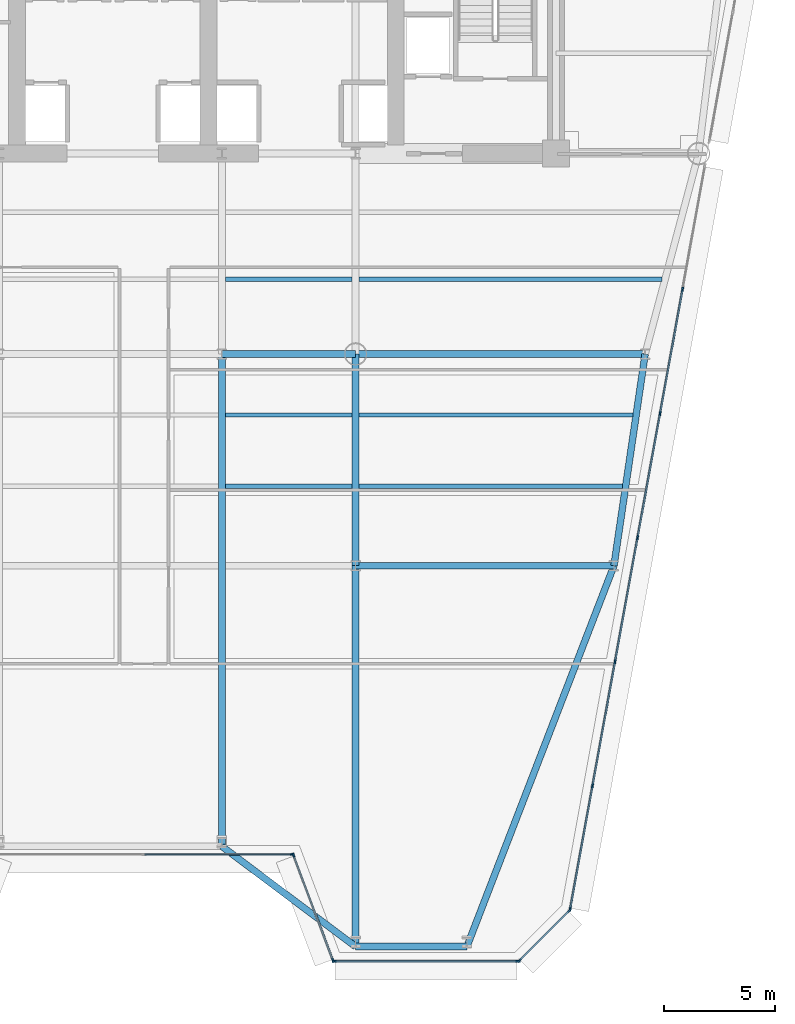
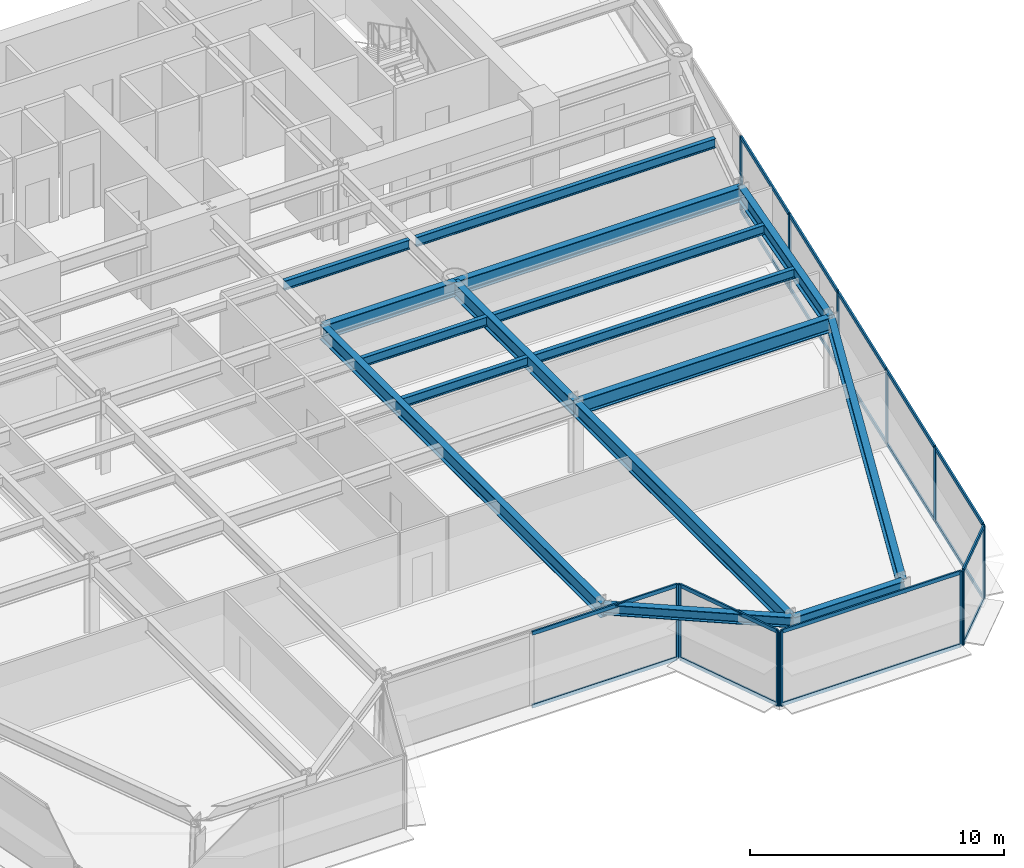
# One storey, part 4 of 14: 31 members, 16 beams, 5 elements without a shape of their own.
"""IFC4 building model written with IfcOpenShell, lengths in metres."""

from ifc_helpers import new_model, si_unit, direction, frame, origin, origin_2d, place, context, subcontext, project, spatial, rectangle, i_section, extrude, source, transform, mapped, material, layer, layer_set, material_profile, profile_set, type_object, element, aggregate, save


model = new_model("IFC4")

# Units and contexts
model_context = context("Model", 3, precision=1e-05, world=origin(), true_north=direction((0.0, 1.0)))
body_context = subcontext(model_context, "Body", "Model", "MODEL_VIEW")
ifc_project = project(units=[si_unit("LENGTHUNIT", "METRE"), si_unit("AREAUNIT", "SQUARE_METRE"), si_unit("VOLUMEUNIT", "CUBIC_METRE"), si_unit("PLANEANGLEUNIT", "RADIAN"), si_unit("MASSUNIT", "GRAM", prefix="KILO")], contexts=[model_context])

# Site, building, storey
site_placement = place(None, origin())
site = spatial("IfcSite", under=ifc_project, at=site_placement, CompositionType="ELEMENT")
building_placement = place(site_placement, origin())
building = spatial("IfcBuilding", under=site, at=building_placement, Name="Vaeldorn Concourse Tower", CompositionType="ELEMENT")
storey_placement = place(building_placement, frame((0.0, 0.0, 141.39990234375)))
storey = spatial("IfcBuildingStorey", under=building, at=storey_placement, Name="L36", CompositionType="ELEMENT", Elevation=141.39990234375)

# Beams
ifc_material_1 = material(Name="Steel S355", Category="steel")
ifc_material_profile_1 = material_profile(ifc_material_1, i_section(OverallWidth=0.300048828125, OverallDepth=0.699951171875, WebThickness=0.01708984375, FlangeThickness=0.031982421875, FilletRadius=0.027099609375, at=origin_2d()), Name="HEB 700")
ifc_profile_set_1 = profile_set([ifc_material_profile_1], Name="Steel S355")
beam_type_1 = type_object("IfcBeamType", Name="BM-PG-HEB700", PredefinedType="BEAM", material=ifc_profile_set_1)
shared_shape_1 = source(origin(), body_context, "Body", "SweptSolid", [
    extrude(i_section(OverallWidth=0.300048828125, OverallDepth=0.699951171875, WebThickness=0.01708984375, FlangeThickness=0.031982421875, FilletRadius=0.027099609375, at=origin_2d()), origin(), (0.0, 0.0, 1.0), 6.0),
])
beam_1_placement = place(storey_placement, frame((39.0, 27.5, 3.22998046875), z_axis=(1.0, 0.0, 0.0), x_axis=(0.0, 1.0, 0.0)))
element("IfcBeam", 1, at=beam_1_placement, inside=storey, type_object=beam_type_1, Name="Beam BM-L36-C-TW3-C-TW4", PredefinedType="BEAM", context=body_context, shape_type="MappedRepresentation", body=[
    mapped(shared_shape_1, transform((0.0, 0.0, 0.0), scale=1.0)),
])
shared_shape_2 = source(origin(), body_context, "Body", "SweptSolid", [
    extrude(i_section(OverallWidth=0.300048828125, OverallDepth=0.699951171875, WebThickness=0.01708984375, FlangeThickness=0.031982421875, FilletRadius=0.027099609375, at=origin_2d()), origin(), (0.0, 0.0, 1.0), 13.0),
])
beam_2_placement = place(storey_placement, frame((45.0, 27.5, 3.22998046875), z_axis=(1.0, 0.0, 0.0), x_axis=(0.0, 1.0, 0.0)))
element("IfcBeam", 2, at=beam_2_placement, inside=storey, type_object=beam_type_1, Name="Beam BM-L36-C-TW4-C-FLE1", PredefinedType="BEAM", context=body_context, shape_type="MappedRepresentation", body=[
    mapped(shared_shape_2, transform((0.0, 0.0, 0.0), scale=1.0)),
])
ifc_material_profile_2 = material_profile(ifc_material_1, i_section(OverallWidth=0.300048828125, OverallDepth=0.5, WebThickness=0.014404296875, FlangeThickness=0.028076171875, FilletRadius=0.027099609375, at=origin_2d()), Name="HEB 500")
ifc_profile_set_2 = profile_set([ifc_material_profile_2], Name="Steel S355")
beam_type_2 = type_object("IfcBeamType", Name="BM-SP-HEB500", PredefinedType="SPANDREL", material=ifc_profile_set_2)
shared_shape_3 = source(origin(), body_context, "Body", "SweptSolid", [
    extrude(i_section(OverallWidth=0.300048828125, OverallDepth=0.5, WebThickness=0.014404296875, FlangeThickness=0.028076171875, FilletRadius=0.027099609375, at=origin_2d()), origin(), (0.0, 0.0, 1.0), 5.0),
])
beam_3_placement = place(storey_placement, frame((45.0, 0.89990234375, 3.330078125), z_axis=(1.0, 0.0, 0.0), x_axis=(0.0, 1.0, 0.0)))
element("IfcBeam", 3, at=beam_3_placement, inside=storey, type_object=beam_type_2, Name="Beam BM-L36-C-SF5-C-SF6", PredefinedType="SPANDREL", context=body_context, shape_type="MappedRepresentation", body=[
    mapped(shared_shape_3, transform((0.0, 0.0, 0.0), scale=1.0)),
])
shared_shape_4 = source(origin(), body_context, "Body", "SweptSolid", [
    extrude(i_section(OverallWidth=0.300048828125, OverallDepth=0.5, WebThickness=0.014404296875, FlangeThickness=0.028076171875, FilletRadius=0.027099609375, at=origin_2d()), origin(), (0.0, 0.0, 1.0), 7.5),
])
beam_4_placement = place(storey_placement, frame((39.0, 5.39990234375, 3.330078125), z_axis=(0.8, -0.6, 0.0), x_axis=(0.6, 0.8, 0.0)))
element("IfcBeam", 4, at=beam_4_placement, inside=storey, type_object=beam_type_2, Name="Beam BM-L36-C-SF4-C-SF5", PredefinedType="SPANDREL", context=body_context, shape_type="MappedRepresentation", body=[
    mapped(shared_shape_4, transform((0.0, 0.0, 0.0), scale=1.0)),
])
shared_shape_5 = source(origin(), body_context, "Body", "SweptSolid", [
    extrude(i_section(OverallWidth=0.300048828125, OverallDepth=0.699951171875, WebThickness=0.01708984375, FlangeThickness=0.031982421875, FilletRadius=0.027099609375, at=origin_2d()), origin(), (0.0, 0.0, 1.0), 9.6025390625),
])
beam_5_placement = place(storey_placement, frame((58.0, 27.5, 3.22998046875), z_axis=(-0.145783835977, -0.989316467652, 0.0), x_axis=(0.989316467652, -0.145783835977, 0.0)))
element("IfcBeam", 5, at=beam_5_placement, inside=storey, type_object=beam_type_1, Name="Beam BM-L36-C-FLE1-C-FLE2", PredefinedType="BEAM", context=body_context, shape_type="MappedRepresentation", body=[
    mapped(shared_shape_5, transform((0.0, 0.0, 0.0), scale=1.0)),
])
shared_shape_6 = source(origin(), body_context, "Body", "SweptSolid", [
    extrude(i_section(OverallWidth=0.300048828125, OverallDepth=0.699951171875, WebThickness=0.01708984375, FlangeThickness=0.031982421875, FilletRadius=0.027099609375, at=origin_2d()), origin(), (0.0, 0.0, 1.0), 11.60009765625),
])
beam_6_placement = place(storey_placement, frame((45.0, 18.0, 3.22998046875), z_axis=(1.0, 0.0, 0.0), x_axis=(0.0, 1.0, 0.0)))
element("IfcBeam", 6, at=beam_6_placement, inside=storey, type_object=beam_type_1, Name="Beam BM-L36-C-TW6-C-FLE2", PredefinedType="BEAM", context=body_context, shape_type="MappedRepresentation", body=[
    mapped(shared_shape_6, transform((0.0, 0.0, 0.0), scale=1.0)),
])
shared_shape_7 = source(origin(), body_context, "Body", "SweptSolid", [
    extrude(i_section(OverallWidth=0.300048828125, OverallDepth=0.699951171875, WebThickness=0.01708984375, FlangeThickness=0.031982421875, FilletRadius=0.027099609375, at=origin_2d()), origin(), (0.0, 0.0, 1.0), 9.5),
])
beam_7_placement = place(storey_placement, frame((45.0, 18.0, 3.22998046875), z_axis=(0.0, 1.0, 0.0), x_axis=(-1.0, 0.0, 0.0)))
element("IfcBeam", 7, at=beam_7_placement, inside=storey, type_object=beam_type_1, Name="Beam BM-L36-C-TW6-C-TW4", PredefinedType="BEAM", context=body_context, shape_type="MappedRepresentation", body=[
    mapped(shared_shape_7, transform((0.0, 0.0, 0.0), scale=1.0)),
])
ifc_material_profile_3 = material_profile(ifc_material_1, i_section(OverallWidth=0.18994140625, OverallDepth=0.449951171875, WebThickness=0.009521484375, FlangeThickness=0.0146484375, FilletRadius=0.02099609375, at=origin_2d()), Name="IPE 450")
ifc_profile_set_3 = profile_set([ifc_material_profile_3], Name="Steel S355")
beam_type_3 = type_object("IfcBeamType", Name="BM-JS-IPE450", PredefinedType="JOIST", material=ifc_profile_set_3)
shared_shape_8 = source(origin(), body_context, "Body", "SweptSolid", [
    extrude(i_section(OverallWidth=0.18994140625, OverallDepth=0.449951171875, WebThickness=0.009521484375, FlangeThickness=0.0146484375, FilletRadius=0.02099609375, at=origin_2d()), origin(), (0.0, 0.0, 1.0), 5.7001953125),
])
for number, where, z_axis, x_axis, name in (
    (8, (39.14990234375, 21.56005859375, 3.35498046875), (1.0, 0.0, 0.0), (0.0, 1.0, 0.0), "Beam JS-L36-E2-215"),
    (9, (39.14990234375, 24.760009765625, 3.35498046875), (1.0, 0.0, 0.0), (0.0, 1.0, 0.0), "Beam JS-L36-E2-247"),
    (10, (39.14990234375, 30.860107421875, 3.35498046875), (1.0, 0.0, 0.0), (0.0, 1.0, 0.0), "Beam JS-L36-E2-308"),
):
    element("IfcBeam", number, at=place(storey_placement, frame(where, z_axis=z_axis, x_axis=x_axis)), inside=storey, type_object=beam_type_3, Name=name, PredefinedType="JOIST", context=body_context, shape_type="MappedRepresentation", body=[
        mapped(shared_shape_8, transform((0.0, 0.0, 0.0), scale=1.0)),
    ])
shared_shape_9 = source(origin(), body_context, "Body", "SweptSolid", [
    extrude(i_section(OverallWidth=0.300048828125, OverallDepth=0.699951171875, WebThickness=0.01708984375, FlangeThickness=0.031982421875, FilletRadius=0.027099609375, at=origin_2d()), origin(), (0.0, 0.0, 1.0), 18.32958984375),
])
beam_8_placement = place(storey_placement, frame((50.0, 0.89990234375, 3.22998046875), z_axis=(0.36007844134, 0.932922031084, 0.0), x_axis=(-0.932922031084, 0.36007844134, 0.0)))
element("IfcBeam", 11, at=beam_8_placement, inside=storey, type_object=beam_type_1, Name="Beam BM-L36-C-SF6-C-FLE2", PredefinedType="BEAM", context=body_context, shape_type="MappedRepresentation", body=[
    mapped(shared_shape_9, transform((0.0, 0.0, 0.0), scale=1.0)),
])
shared_shape_10 = source(origin(), body_context, "Body", "SweptSolid", [
    extrude(i_section(OverallWidth=0.300048828125, OverallDepth=0.699951171875, WebThickness=0.01708984375, FlangeThickness=0.031982421875, FilletRadius=0.027099609375, at=origin_2d()), origin(), (0.0, 0.0, 1.0), 17.10009765625),
])
beam_9_placement = place(storey_placement, frame((45.0, 0.89990234375, 3.22998046875), z_axis=(0.0, 1.0, 0.0), x_axis=(-1.0, 0.0, 0.0)))
element("IfcBeam", 12, at=beam_9_placement, inside=storey, type_object=beam_type_1, Name="Beam BM-L36-C-SF5-C-TW6", PredefinedType="BEAM", context=body_context, shape_type="MappedRepresentation", body=[
    mapped(shared_shape_10, transform((0.0, 0.0, 0.0), scale=1.0)),
])
shared_shape_11 = source(origin(), body_context, "Body", "SweptSolid", [
    extrude(i_section(OverallWidth=0.300048828125, OverallDepth=0.699951171875, WebThickness=0.01708984375, FlangeThickness=0.031982421875, FilletRadius=0.027099609375, at=origin_2d()), origin(), (0.0, 0.0, 1.0), 22.10009765625),
])
beam_10_placement = place(storey_placement, frame((39.0, 5.39990234375, 3.22998046875), z_axis=(0.0, 1.0, 0.0), x_axis=(-1.0, 0.0, 0.0)))
element("IfcBeam", 13, at=beam_10_placement, inside=storey, type_object=beam_type_1, Name="Beam BM-L36-C-SF4-C-TW3", PredefinedType="BEAM", context=body_context, shape_type="MappedRepresentation", body=[
    mapped(shared_shape_11, transform((0.0, 0.0, 0.0), scale=1.0)),
])
shared_shape_12 = source(origin(), body_context, "Body", "SweptSolid", [
    extrude(i_section(OverallWidth=0.18994140625, OverallDepth=0.449951171875, WebThickness=0.009521484375, FlangeThickness=0.0146484375, FilletRadius=0.02099609375, at=origin_2d()), origin(), (0.0, 0.0, 1.0), 11.82470703125),
])
beam_11_placement = place(storey_placement, frame((45.14990234375, 21.56005859375, 3.35498046875), z_axis=(1.0, 0.0, 0.0), x_axis=(0.0, 1.0, 0.0)))
element("IfcBeam", 14, at=beam_11_placement, inside=storey, type_object=beam_type_3, Name="Beam JS-L36-E1-215", PredefinedType="JOIST", context=body_context, shape_type="MappedRepresentation", body=[
    mapped(shared_shape_12, transform((0.0, 0.0, 0.0), scale=1.0)),
])
shared_shape_13 = source(origin(), body_context, "Body", "SweptSolid", [
    extrude(i_section(OverallWidth=0.18994140625, OverallDepth=0.449951171875, WebThickness=0.009521484375, FlangeThickness=0.0146484375, FilletRadius=0.02099609375, at=origin_2d()), origin(), (0.0, 0.0, 1.0), 12.29638671875),
])
beam_12_placement = place(storey_placement, frame((45.14990234375, 24.760009765625, 3.35498046875), z_axis=(1.0, 0.0, 0.0), x_axis=(0.0, 1.0, 0.0)))
element("IfcBeam", 15, at=beam_12_placement, inside=storey, type_object=beam_type_3, Name="Beam JS-L36-E1-247", PredefinedType="JOIST", context=body_context, shape_type="MappedRepresentation", body=[
    mapped(shared_shape_13, transform((0.0, 0.0, 0.0), scale=1.0)),
])
shared_shape_14 = source(origin(), body_context, "Body", "SweptSolid", [
    extrude(i_section(OverallWidth=0.18994140625, OverallDepth=0.449951171875, WebThickness=0.009521484375, FlangeThickness=0.0146484375, FilletRadius=0.02099609375, at=origin_2d()), origin(), (0.0, 0.0, 1.0), 13.59619140625),
])
beam_13_placement = place(storey_placement, frame((45.14990234375, 30.860107421875, 3.35498046875), z_axis=(1.0, 0.0, 0.0), x_axis=(0.0, 1.0, 0.0)))
element("IfcBeam", 16, at=beam_13_placement, inside=storey, type_object=beam_type_3, Name="Beam JS-L36-E1-308", PredefinedType="JOIST", context=body_context, shape_type="MappedRepresentation", body=[
    mapped(shared_shape_14, transform((0.0, 0.0, 0.0), scale=1.0)),
])

# Curtain wall, members
ifc_material_2 = material(Name="Anodised Bronze Aluminium", Category="aluminium")
ifc_layer = layer(ifc_material_2, 0.199951171875)
ifc_layer_set = layer_set([ifc_layer], Name="Anodised Bronze Aluminium")
curtain_wall_type = type_object("IfcCurtainWallType", Name="CW-SYS-02", PredefinedType="NOTDEFINED", material=ifc_layer_set)
curtain_wall_1_placement = place(storey_placement, origin())
curtain_wall_1 = element("IfcCurtainWall", 17, at=curtain_wall_1_placement, inside=storey, type_object=curtain_wall_type, Name="Unitised Curtain Wall CW-L36-E03-1", PredefinedType="NOTDEFINED")
ifc_material_profile_4 = material_profile(ifc_material_2, rectangle(XDim=0.074951171875, YDim=0.179931640625, at=origin_2d()), Name="CWT 75x180")
ifc_profile_set_4 = profile_set([ifc_material_profile_4], Name="Anodised Bronze Aluminium")
member_type_1 = type_object("IfcMemberType", Name="CWT-BRONZE-180", PredefinedType="USERDEFINED", material=ifc_profile_set_4)
shared_shape_15 = source(origin(), body_context, "Body", "SweptSolid", [
    extrude(rectangle(XDim=0.074951171875, YDim=0.179931640625, at=origin_2d()), origin(), (0.0, 0.0, 1.0), 6.58740234375),
])
member_1_placement = place(storey_placement, frame((35.53759765625, 5.0390625, 0.03759765625), z_axis=(1.0, 0.0, 0.0), x_axis=(0.0, 1.0, 0.0)))
member_1 = element("IfcMember", 18, at=member_1_placement, type_object=member_type_1, Name="CW-02 transom 2.1", ObjectType="TRANSOM", PredefinedType="USERDEFINED", context=body_context, shape_type="MappedRepresentation", body=[
    mapped(shared_shape_15, transform((0.0, 0.0, 0.0), scale=1.0)),
])
member_2_placement = place(storey_placement, frame((35.53759765625, 5.0390625, 3.54248046875), z_axis=(1.0, 0.0, 0.0), x_axis=(0.0, 1.0, 0.0)))
member_2 = element("IfcMember", 19, at=member_2_placement, type_object=member_type_1, Name="CW-02 transom 2.2", ObjectType="TRANSOM", PredefinedType="USERDEFINED", context=body_context, shape_type="MappedRepresentation", body=[
    mapped(shared_shape_15, transform((0.0, 0.0, 0.0), scale=1.0)),
])

curtain_wall_2_placement = place(storey_placement, origin())
curtain_wall_2 = element("IfcCurtainWall", 20, at=curtain_wall_2_placement, inside=storey, type_object=curtain_wall_type, Name="Unitised Curtain Wall CW-L36-E06-1", PredefinedType="NOTDEFINED")
shared_shape_16 = source(origin(), body_context, "Body", "SweptSolid", [
    extrude(rectangle(XDim=0.074951171875, YDim=0.179931640625, at=origin_2d()), origin(), (0.0, 0.0, 1.0), 3.102783203125),
])
member_3_placement = place(storey_placement, frame((52.37744140625, 0.292236328125, 0.03759765625), z_axis=(0.707146122816, 0.707067437368, 0.0), x_axis=(-0.707067437368, 0.707146122816, 0.0)))
member_3 = element("IfcMember", 21, at=member_3_placement, type_object=member_type_1, Name="CW-02 transom 1.1", ObjectType="TRANSOM", PredefinedType="USERDEFINED", context=body_context, shape_type="MappedRepresentation", body=[
    mapped(shared_shape_16, transform((0.0, 0.0, 0.0), scale=1.0)),
])
member_4_placement = place(storey_placement, frame((52.37744140625, 0.292236328125, 3.54248046875), z_axis=(0.707146122816, 0.707067437368, 0.0), x_axis=(-0.707067437368, 0.707146122816, 0.0)))
member_4 = element("IfcMember", 22, at=member_4_placement, type_object=member_type_1, Name="CW-02 transom 1.2", ObjectType="TRANSOM", PredefinedType="USERDEFINED", context=body_context, shape_type="MappedRepresentation", body=[
    mapped(shared_shape_16, transform((0.0, 0.0, 0.0), scale=1.0)),
])

curtain_wall_3_placement = place(storey_placement, origin())
curtain_wall_3 = element("IfcCurtainWall", 23, at=curtain_wall_3_placement, inside=storey, type_object=curtain_wall_type, Name="Unitised Curtain Wall CW-L36-E04-1", PredefinedType="NOTDEFINED")
shared_shape_17 = source(origin(), body_context, "Body", "SweptSolid", [
    extrude(rectangle(XDim=0.074951171875, YDim=0.179931640625, at=origin_2d()), origin(), (0.0, 0.0, 1.0), 4.9765625),
])
member_5_placement = place(storey_placement, frame((42.226318359375, 4.968994140625, 0.03759765625), z_axis=(0.351112688987, -0.936333209724, 0.0), x_axis=(0.936333209724, 0.351112688987, 0.0)))
member_5 = element("IfcMember", 24, at=member_5_placement, type_object=member_type_1, Name="CW-02 transom 1.1", ObjectType="TRANSOM", PredefinedType="USERDEFINED", context=body_context, shape_type="MappedRepresentation", body=[
    mapped(shared_shape_17, transform((0.0, 0.0, 0.0), scale=1.0)),
])
member_6_placement = place(storey_placement, frame((42.226318359375, 4.968994140625, 3.54248046875), z_axis=(0.351112688987, -0.936333209724, 0.0), x_axis=(0.936333209724, 0.351112688987, 0.0)))
member_6 = element("IfcMember", 25, at=member_6_placement, type_object=member_type_1, Name="CW-02 transom 1.2", ObjectType="TRANSOM", PredefinedType="USERDEFINED", context=body_context, shape_type="MappedRepresentation", body=[
    mapped(shared_shape_17, transform((0.0, 0.0, 0.0), scale=1.0)),
])

curtain_wall_4_placement = place(storey_placement, origin())
curtain_wall_4 = element("IfcCurtainWall", 26, at=curtain_wall_4_placement, inside=storey, type_object=curtain_wall_type, Name="Unitised Curtain Wall CW-L36-E05-1", PredefinedType="NOTDEFINED")
shared_shape_18 = source(origin(), body_context, "Body", "SweptSolid", [
    extrude(rectangle(XDim=0.074951171875, YDim=0.179931640625, at=origin_2d()), origin(), (0.0, 0.0, 1.0), 8.174560546875),
])
member_7_placement = place(storey_placement, frame((44.074951171875, 0.239013671875, 0.03759765625), z_axis=(1.0, 0.0, 0.0), x_axis=(0.0, 1.0, 0.0)))
member_7 = element("IfcMember", 27, at=member_7_placement, type_object=member_type_1, Name="CW-02 transom 1.1", ObjectType="TRANSOM", PredefinedType="USERDEFINED", context=body_context, shape_type="MappedRepresentation", body=[
    mapped(shared_shape_18, transform((0.0, 0.0, 0.0), scale=1.0)),
])
member_8_placement = place(storey_placement, frame((44.074951171875, 0.239013671875, 3.54248046875), z_axis=(1.0, 0.0, 0.0), x_axis=(0.0, 1.0, 0.0)))
member_8 = element("IfcMember", 28, at=member_8_placement, type_object=member_type_1, Name="CW-02 transom 1.2", ObjectType="TRANSOM", PredefinedType="USERDEFINED", context=body_context, shape_type="MappedRepresentation", body=[
    mapped(shared_shape_18, transform((0.0, 0.0, 0.0), scale=1.0)),
])

# Member
ifc_material_profile_5 = material_profile(ifc_material_2, rectangle(XDim=0.074951171875, YDim=0.18994140625, at=origin_2d()), Name="CWM 75x190")
ifc_profile_set_5 = profile_set([ifc_material_profile_5], Name="Anodised Bronze Aluminium")
member_type_2 = type_object("IfcMemberType", Name="CWM-BRONZE-190", PredefinedType="MULLION", material=ifc_profile_set_5)
shared_shape_19 = source(origin(), body_context, "Body", "SweptSolid", [
    extrude(rectangle(XDim=0.074951171875, YDim=0.18994140625, at=origin_2d()), origin(), (0.0, 0.0, 1.0), 3.580078125),
])
member_9_placement = place(storey_placement, frame((42.16259765625, 5.0390625, 0.0), z_axis=(0.0, 0.0, 1.0), x_axis=(0.0, 1.0, 0.0)))
member_9 = element("IfcMember", 29, at=member_9_placement, type_object=member_type_2, Name="CW-02 mullion 3", PredefinedType="MULLION", context=body_context, shape_type="MappedRepresentation", body=[
    mapped(shared_shape_19, transform((0.0, 0.0, 0.0), scale=1.0)),
])

aggregate(curtain_wall_1, [member_9, member_1, member_2])

member_10_placement = place(storey_placement, frame((42.213134765625, 5.00390625, 0.0), z_axis=(0.0, 0.0, 1.0), x_axis=(0.936329177566, 0.351123441595, 0.0)))
member_10 = element("IfcMember", 30, at=member_10_placement, type_object=member_type_2, Name="CW-02 mullion 1", PredefinedType="MULLION", context=body_context, shape_type="MappedRepresentation", body=[
    mapped(shared_shape_19, transform((0.0, 0.0, 0.0), scale=1.0)),
])

member_11_placement = place(storey_placement, frame((43.98681640625, 0.274169921875, 0.0), z_axis=(0.0, 0.0, 1.0), x_axis=(0.936329177566, 0.351123441595, 0.0)))
member_11 = element("IfcMember", 31, at=member_11_placement, type_object=member_type_2, Name="CW-02 mullion 2", PredefinedType="MULLION", context=body_context, shape_type="MappedRepresentation", body=[
    mapped(shared_shape_19, transform((0.0, 0.0, 0.0), scale=1.0)),
])

aggregate(curtain_wall_3, [member_10, member_11, member_5, member_6])

member_12_placement = place(storey_placement, frame((44.03759765625, 0.239013671875, 0.0), z_axis=(0.0, 0.0, 1.0), x_axis=(0.0, 1.0, 0.0)))
member_12 = element("IfcMember", 32, at=member_12_placement, type_object=member_type_2, Name="CW-02 mullion 1", PredefinedType="MULLION", context=body_context, shape_type="MappedRepresentation", body=[
    mapped(shared_shape_19, transform((0.0, 0.0, 0.0), scale=1.0)),
])

member_13_placement = place(storey_placement, frame((52.287109375, 0.239013671875, 0.0), z_axis=(0.0, 0.0, 1.0), x_axis=(0.0, 1.0, 0.0)))
member_13 = element("IfcMember", 33, at=member_13_placement, type_object=member_type_2, Name="CW-02 mullion 2", PredefinedType="MULLION", context=body_context, shape_type="MappedRepresentation", body=[
    mapped(shared_shape_19, transform((0.0, 0.0, 0.0), scale=1.0)),
])

aggregate(curtain_wall_4, [member_12, member_13, member_7, member_8])

member_14_placement = place(storey_placement, frame((52.35107421875, 0.265625, 0.0), z_axis=(0.0, 0.0, 1.0), x_axis=(-0.707106781187, 0.707106781187, 0.0)))
member_14 = element("IfcMember", 34, at=member_14_placement, type_object=member_type_2, Name="CW-02 mullion 1", PredefinedType="MULLION", context=body_context, shape_type="MappedRepresentation", body=[
    mapped(shared_shape_19, transform((0.0, 0.0, 0.0), scale=1.0)),
])

member_15_placement = place(storey_placement, frame((54.597900390625, 2.5126953125, 0.0), z_axis=(0.0, 0.0, 1.0), x_axis=(-0.707106781187, 0.707106781187, 0.0)))
member_15 = element("IfcMember", 35, at=member_15_placement, type_object=member_type_2, Name="CW-02 mullion 2", PredefinedType="MULLION", context=body_context, shape_type="MappedRepresentation", body=[
    mapped(shared_shape_19, transform((0.0, 0.0, 0.0), scale=1.0)),
])

aggregate(curtain_wall_2, [member_14, member_15, member_3, member_4])

# Curtain wall, members
curtain_wall_5_placement = place(storey_placement, origin())
curtain_wall_5 = element("IfcCurtainWall", 36, at=curtain_wall_5_placement, inside=storey, type_object=curtain_wall_type, Name="Unitised Curtain Wall CW-L36-E07-1", PredefinedType="NOTDEFINED")
member_16_placement = place(storey_placement, frame((54.631103515625, 2.575927734375, 0.0), z_axis=(0.0, 0.0, 1.0), x_axis=(-0.983935230381, 0.17852580322, 0.0)))
member_16 = element("IfcMember", 37, at=member_16_placement, type_object=member_type_2, Name="CW-02 mullion 1", PredefinedType="MULLION", context=body_context, shape_type="MappedRepresentation", body=[
    mapped(shared_shape_19, transform((0.0, 0.0, 0.0), scale=1.0)),
])
member_17_placement = place(storey_placement, frame((55.6357421875, 8.113037109375, 0.0), z_axis=(0.0, 0.0, 1.0), x_axis=(-0.983935230381, 0.17852580322, 0.0)))
member_17 = element("IfcMember", 38, at=member_17_placement, type_object=member_type_2, Name="CW-02 mullion 2", PredefinedType="MULLION", context=body_context, shape_type="MappedRepresentation", body=[
    mapped(shared_shape_19, transform((0.0, 0.0, 0.0), scale=1.0)),
])
member_18_placement = place(storey_placement, frame((56.647216796875, 13.686767578125, 0.0), z_axis=(0.0, 0.0, 1.0), x_axis=(-0.983935230381, 0.17852580322, 0.0)))
member_18 = element("IfcMember", 39, at=member_18_placement, type_object=member_type_2, Name="CW-02 mullion 3", PredefinedType="MULLION", context=body_context, shape_type="MappedRepresentation", body=[
    mapped(shared_shape_19, transform((0.0, 0.0, 0.0), scale=1.0)),
])
member_19_placement = place(storey_placement, frame((57.658447265625, 19.260498046875, 0.0), z_axis=(0.0, 0.0, 1.0), x_axis=(-0.983935230381, 0.17852580322, 0.0)))
member_19 = element("IfcMember", 40, at=member_19_placement, type_object=member_type_2, Name="CW-02 mullion 4", PredefinedType="MULLION", context=body_context, shape_type="MappedRepresentation", body=[
    mapped(shared_shape_19, transform((0.0, 0.0, 0.0), scale=1.0)),
])
member_20_placement = place(storey_placement, frame((58.669677734375, 24.83447265625, 0.0), z_axis=(0.0, 0.0, 1.0), x_axis=(-0.983935230381, 0.17852580322, 0.0)))
member_20 = element("IfcMember", 41, at=member_20_placement, type_object=member_type_2, Name="CW-02 mullion 5", PredefinedType="MULLION", context=body_context, shape_type="MappedRepresentation", body=[
    mapped(shared_shape_19, transform((0.0, 0.0, 0.0), scale=1.0)),
])
member_21_placement = place(storey_placement, frame((59.68115234375, 30.408203125, 0.0), z_axis=(0.0, 0.0, 1.0), x_axis=(-0.983935230381, 0.17852580322, 0.0)))
member_21 = element("IfcMember", 42, at=member_21_placement, type_object=member_type_2, Name="CW-02 mullion 6", PredefinedType="MULLION", context=body_context, shape_type="MappedRepresentation", body=[
    mapped(shared_shape_19, transform((0.0, 0.0, 0.0), scale=1.0)),
])
shared_shape_20 = source(origin(), body_context, "Body", "SweptSolid", [
    extrude(rectangle(XDim=0.074951171875, YDim=0.179931640625, at=origin_2d()), origin(), (0.0, 0.0, 1.0), 5.55224609375),
])
member_22_placement = place(storey_placement, frame((54.637939453125, 2.61279296875, 0.03759765625), z_axis=(0.178521699007, 0.983935975043, 0.0), x_axis=(-0.983935975043, 0.178521699007, 0.0)))
member_22 = element("IfcMember", 43, at=member_22_placement, type_object=member_type_1, Name="CW-02 transom 1.1", ObjectType="TRANSOM", PredefinedType="USERDEFINED", context=body_context, shape_type="MappedRepresentation", body=[
    mapped(shared_shape_20, transform((0.0, 0.0, 0.0), scale=1.0)),
])
member_23_placement = place(storey_placement, frame((54.637939453125, 2.61279296875, 3.54248046875), z_axis=(0.178521699007, 0.983935975043, 0.0), x_axis=(-0.983935975043, 0.178521699007, 0.0)))
member_23 = element("IfcMember", 44, at=member_23_placement, type_object=member_type_1, Name="CW-02 transom 1.2", ObjectType="TRANSOM", PredefinedType="USERDEFINED", context=body_context, shape_type="MappedRepresentation", body=[
    mapped(shared_shape_20, transform((0.0, 0.0, 0.0), scale=1.0)),
])
shared_shape_21 = source(origin(), body_context, "Body", "SweptSolid", [
    extrude(rectangle(XDim=0.074951171875, YDim=0.179931640625, at=origin_2d()), origin(), (0.0, 0.0, 1.0), 5.58984375),
])
member_24_placement = place(storey_placement, frame((55.642578125, 8.14990234375, 0.03759765625), z_axis=(0.178504917154, 0.983939019732, 0.0), x_axis=(-0.983939019732, 0.178504917154, 0.0)))
member_24 = element("IfcMember", 45, at=member_24_placement, type_object=member_type_1, Name="CW-02 transom 2.1", ObjectType="TRANSOM", PredefinedType="USERDEFINED", context=body_context, shape_type="MappedRepresentation", body=[
    mapped(shared_shape_21, transform((0.0, 0.0, 0.0), scale=1.0)),
])
member_25_placement = place(storey_placement, frame((55.642578125, 8.14990234375, 3.54248046875), z_axis=(0.178504917154, 0.983939019732, 0.0), x_axis=(-0.983939019732, 0.178504917154, 0.0)))
member_25 = element("IfcMember", 46, at=member_25_placement, type_object=member_type_1, Name="CW-02 transom 2.2", ObjectType="TRANSOM", PredefinedType="USERDEFINED", context=body_context, shape_type="MappedRepresentation", body=[
    mapped(shared_shape_21, transform((0.0, 0.0, 0.0), scale=1.0)),
])
member_26_placement = place(storey_placement, frame((56.65380859375, 13.7236328125, 0.03759765625), z_axis=(0.178547201229, 0.983931347673, 0.0), x_axis=(-0.983931347673, 0.178547201229, 0.0)))
member_26 = element("IfcMember", 47, at=member_26_placement, type_object=member_type_1, Name="CW-02 transom 3.1", ObjectType="TRANSOM", PredefinedType="USERDEFINED", context=body_context, shape_type="MappedRepresentation", body=[
    mapped(shared_shape_21, transform((0.0, 0.0, 0.0), scale=1.0)),
])
member_27_placement = place(storey_placement, frame((56.65380859375, 13.7236328125, 3.54248046875), z_axis=(0.178547201229, 0.983931347673, 0.0), x_axis=(-0.983931347673, 0.178547201229, 0.0)))
member_27 = element("IfcMember", 48, at=member_27_placement, type_object=member_type_1, Name="CW-02 transom 3.2", ObjectType="TRANSOM", PredefinedType="USERDEFINED", context=body_context, shape_type="MappedRepresentation", body=[
    mapped(shared_shape_21, transform((0.0, 0.0, 0.0), scale=1.0)),
])
member_28_placement = place(storey_placement, frame((57.6650390625, 19.29736328125, 0.03759765625), z_axis=(0.178547201229, 0.983931347673, 0.0), x_axis=(-0.983931347673, 0.178547201229, 0.0)))
member_28 = element("IfcMember", 49, at=member_28_placement, type_object=member_type_1, Name="CW-02 transom 4.1", ObjectType="TRANSOM", PredefinedType="USERDEFINED", context=body_context, shape_type="MappedRepresentation", body=[
    mapped(shared_shape_21, transform((0.0, 0.0, 0.0), scale=1.0)),
])
member_29_placement = place(storey_placement, frame((57.6650390625, 19.29736328125, 3.54248046875), z_axis=(0.178547201229, 0.983931347673, 0.0), x_axis=(-0.983931347673, 0.178547201229, 0.0)))
member_29 = element("IfcMember", 50, at=member_29_placement, type_object=member_type_1, Name="CW-02 transom 4.2", ObjectType="TRANSOM", PredefinedType="USERDEFINED", context=body_context, shape_type="MappedRepresentation", body=[
    mapped(shared_shape_21, transform((0.0, 0.0, 0.0), scale=1.0)),
])
member_30_placement = place(storey_placement, frame((58.676513671875, 24.871337890625, 0.03759765625), z_axis=(0.178504917154, 0.983939019732, 0.0), x_axis=(-0.983939019732, 0.178504917154, 0.0)))
member_30 = element("IfcMember", 51, at=member_30_placement, type_object=member_type_1, Name="CW-02 transom 5.1", ObjectType="TRANSOM", PredefinedType="USERDEFINED", context=body_context, shape_type="MappedRepresentation", body=[
    mapped(shared_shape_21, transform((0.0, 0.0, 0.0), scale=1.0)),
])
member_31_placement = place(storey_placement, frame((58.676513671875, 24.871337890625, 3.54248046875), z_axis=(0.178504917154, 0.983939019732, 0.0), x_axis=(-0.983939019732, 0.178504917154, 0.0)))
member_31 = element("IfcMember", 52, at=member_31_placement, type_object=member_type_1, Name="CW-02 transom 5.2", ObjectType="TRANSOM", PredefinedType="USERDEFINED", context=body_context, shape_type="MappedRepresentation", body=[
    mapped(shared_shape_21, transform((0.0, 0.0, 0.0), scale=1.0)),
])
aggregate(curtain_wall_5, [member_16, member_17, member_18, member_19, member_20, member_21, member_22, member_23, member_24, member_25, member_26, member_27, member_28, member_29, member_30, member_31])

save(model, "model.ifc")
